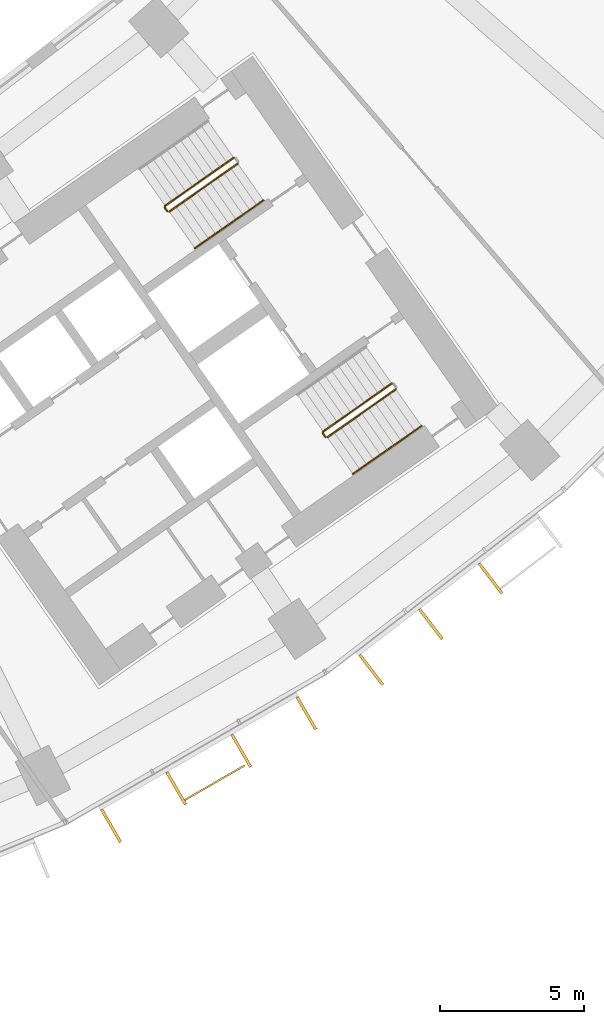
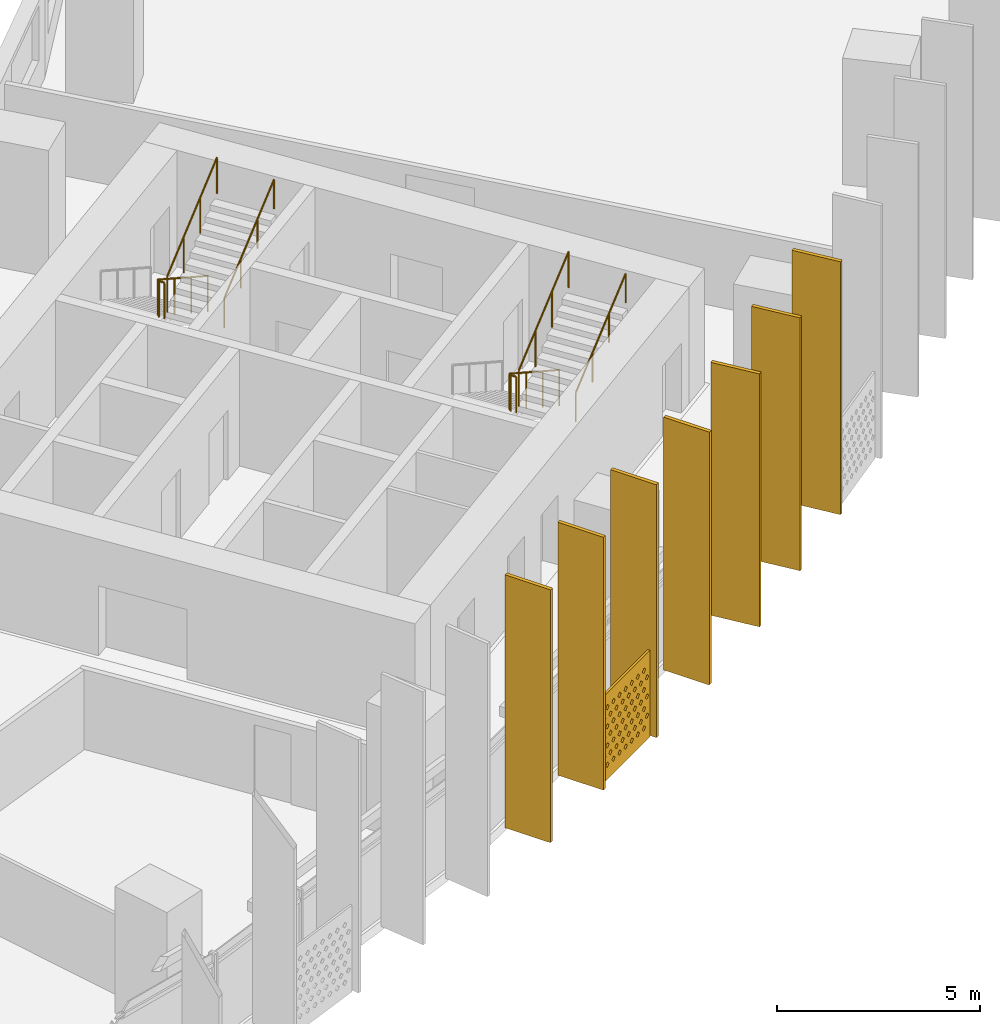
# One storey, part 29 of 31: 8 shading devices, 6 railings.
"""IFC4 building model written with IfcOpenShell, lengths in metres."""

from ifc_helpers import new_model, si_unit, direction, frame, origin, origin_2d, place, context, subcontext, project, spatial, polyline, rectangle, circle, outline, extrude, material, material_profile, profile_set, type_object, element, save


model = new_model("IFC4")

# Units and contexts
model_context = context("Model", 3, precision=1e-05, world=origin(), true_north=direction((0.0, 1.0)))
body_context = subcontext(model_context, "Body", "Model", "MODEL_VIEW")
ifc_project = project(units=[si_unit("LENGTHUNIT", "METRE"), si_unit("AREAUNIT", "SQUARE_METRE"), si_unit("VOLUMEUNIT", "CUBIC_METRE"), si_unit("PLANEANGLEUNIT", "RADIAN"), si_unit("MASSUNIT", "GRAM", prefix="KILO")], contexts=[model_context])

# Site, building, storey
site_placement = place(None, origin())
site = spatial("IfcSite", under=ifc_project, at=site_placement, CompositionType="ELEMENT")
building_placement = place(site_placement, origin())
building = spatial("IfcBuilding", under=site, at=building_placement, Name="Qamariyya Broadcast Tower", CompositionType="ELEMENT")
storey_placement = place(building_placement, frame((0.0, 0.0, 48.10009765625)))
storey = spatial("IfcBuildingStorey", under=building, at=storey_placement, Name="L08", CompositionType="ELEMENT", Elevation=48.10009765625)

# Shading device
ifc_material_1 = material(Name="Perforated glazed terracotta", Category="masonry")
ifc_material_profile_1 = material_profile(ifc_material_1, outline(polyline([(-1.199951171875, -1.300048828125), (1.199951171875, -1.300048828125), (1.199951171875, 1.300048828125), (-1.199951171875, 1.300048828125), (-1.199951171875, -1.300048828125)]), holes=[polyline([(-0.81494140625, -0.86669921875), (-0.89990234375, -0.78173828125), (-0.985107421875, -0.86669921875), (-0.89990234375, -0.95166015625), (-0.81494140625, -0.86669921875)]), polyline([(-0.514892578125, -0.86669921875), (-0.60009765625, -0.78173828125), (-0.68505859375, -0.86669921875), (-0.60009765625, -0.95166015625), (-0.514892578125, -0.86669921875)]), polyline([(-0.215087890625, -0.86669921875), (-0.300048828125, -0.78173828125), (-0.385009765625, -0.86669921875), (-0.300048828125, -0.95166015625), (-0.215087890625, -0.86669921875)]), polyline([(0.0849609375, -0.86669921875), (0.0, -0.78173828125), (-0.0849609375, -0.86669921875), (0.0, -0.95166015625), (0.0849609375, -0.86669921875)]), polyline([(0.385009765625, -0.86669921875), (0.300048828125, -0.78173828125), (0.215087890625, -0.86669921875), (0.300048828125, -0.95166015625), (0.385009765625, -0.86669921875)]), polyline([(0.68505859375, -0.86669921875), (0.60009765625, -0.78173828125), (0.514892578125, -0.86669921875), (0.60009765625, -0.95166015625), (0.68505859375, -0.86669921875)]), polyline([(0.985107421875, -0.86669921875), (0.89990234375, -0.78173828125), (0.81494140625, -0.86669921875), (0.89990234375, -0.95166015625), (0.985107421875, -0.86669921875)]), polyline([(-0.965087890625, -0.577880859375), (-1.050048828125, -0.49267578125), (-1.135009765625, -0.577880859375), (-1.050048828125, -0.662841796875), (-0.965087890625, -0.577880859375)]), polyline([(-0.6650390625, -0.577880859375), (-0.75, -0.49267578125), (-0.8349609375, -0.577880859375), (-0.75, -0.662841796875), (-0.6650390625, -0.577880859375)]), polyline([(-0.364990234375, -0.577880859375), (-0.449951171875, -0.49267578125), (-0.534912109375, -0.577880859375), (-0.449951171875, -0.662841796875), (-0.364990234375, -0.577880859375)]), polyline([(-0.06494140625, -0.577880859375), (-0.14990234375, -0.49267578125), (-0.235107421875, -0.577880859375), (-0.14990234375, -0.662841796875), (-0.06494140625, -0.577880859375)]), polyline([(0.235107421875, -0.577880859375), (0.14990234375, -0.49267578125), (0.06494140625, -0.577880859375), (0.14990234375, -0.662841796875), (0.235107421875, -0.577880859375)]), polyline([(0.534912109375, -0.577880859375), (0.449951171875, -0.49267578125), (0.364990234375, -0.577880859375), (0.449951171875, -0.662841796875), (0.534912109375, -0.577880859375)]), polyline([(0.8349609375, -0.577880859375), (0.75, -0.49267578125), (0.6650390625, -0.577880859375), (0.75, -0.662841796875), (0.8349609375, -0.577880859375)]), polyline([(1.135009765625, -0.577880859375), (1.050048828125, -0.49267578125), (0.965087890625, -0.577880859375), (1.050048828125, -0.662841796875), (1.135009765625, -0.577880859375)]), polyline([(-0.81494140625, -0.288818359375), (-0.89990234375, -0.203857421875), (-0.985107421875, -0.288818359375), (-0.89990234375, -0.373779296875), (-0.81494140625, -0.288818359375)]), polyline([(-0.514892578125, -0.288818359375), (-0.60009765625, -0.203857421875), (-0.68505859375, -0.288818359375), (-0.60009765625, -0.373779296875), (-0.514892578125, -0.288818359375)]), polyline([(-0.215087890625, -0.288818359375), (-0.300048828125, -0.203857421875), (-0.385009765625, -0.288818359375), (-0.300048828125, -0.373779296875), (-0.215087890625, -0.288818359375)]), polyline([(0.0849609375, -0.288818359375), (0.0, -0.203857421875), (-0.0849609375, -0.288818359375), (0.0, -0.373779296875), (0.0849609375, -0.288818359375)]), polyline([(0.385009765625, -0.288818359375), (0.300048828125, -0.203857421875), (0.215087890625, -0.288818359375), (0.300048828125, -0.373779296875), (0.385009765625, -0.288818359375)]), polyline([(0.68505859375, -0.288818359375), (0.60009765625, -0.203857421875), (0.514892578125, -0.288818359375), (0.60009765625, -0.373779296875), (0.68505859375, -0.288818359375)]), polyline([(0.985107421875, -0.288818359375), (0.89990234375, -0.203857421875), (0.81494140625, -0.288818359375), (0.89990234375, -0.373779296875), (0.985107421875, -0.288818359375)]), polyline([(-0.965087890625, 0.0), (-1.050048828125, 0.0849609375), (-1.135009765625, 0.0), (-1.050048828125, -0.0849609375), (-0.965087890625, 0.0)]), polyline([(-0.6650390625, 0.0), (-0.75, 0.0849609375), (-0.8349609375, 0.0), (-0.75, -0.0849609375), (-0.6650390625, 0.0)]), polyline([(-0.364990234375, 0.0), (-0.449951171875, 0.0849609375), (-0.534912109375, 0.0), (-0.449951171875, -0.0849609375), (-0.364990234375, 0.0)]), polyline([(-0.06494140625, 0.0), (-0.14990234375, 0.0849609375), (-0.235107421875, 0.0), (-0.14990234375, -0.0849609375), (-0.06494140625, 0.0)]), polyline([(0.235107421875, 0.0), (0.14990234375, 0.0849609375), (0.06494140625, 0.0), (0.14990234375, -0.0849609375), (0.235107421875, 0.0)]), polyline([(0.534912109375, 0.0), (0.449951171875, 0.0849609375), (0.364990234375, 0.0), (0.449951171875, -0.0849609375), (0.534912109375, 0.0)]), polyline([(0.8349609375, 0.0), (0.75, 0.0849609375), (0.6650390625, 0.0), (0.75, -0.0849609375), (0.8349609375, 0.0)]), polyline([(1.135009765625, 0.0), (1.050048828125, 0.0849609375), (0.965087890625, 0.0), (1.050048828125, -0.0849609375), (1.135009765625, 0.0)]), polyline([(-0.81494140625, 0.288818359375), (-0.89990234375, 0.373779296875), (-0.985107421875, 0.288818359375), (-0.89990234375, 0.203857421875), (-0.81494140625, 0.288818359375)]), polyline([(-0.514892578125, 0.288818359375), (-0.60009765625, 0.373779296875), (-0.68505859375, 0.288818359375), (-0.60009765625, 0.203857421875), (-0.514892578125, 0.288818359375)]), polyline([(-0.215087890625, 0.288818359375), (-0.300048828125, 0.373779296875), (-0.385009765625, 0.288818359375), (-0.300048828125, 0.203857421875), (-0.215087890625, 0.288818359375)]), polyline([(0.0849609375, 0.288818359375), (0.0, 0.373779296875), (-0.0849609375, 0.288818359375), (0.0, 0.203857421875), (0.0849609375, 0.288818359375)]), polyline([(0.385009765625, 0.288818359375), (0.300048828125, 0.373779296875), (0.215087890625, 0.288818359375), (0.300048828125, 0.203857421875), (0.385009765625, 0.288818359375)]), polyline([(0.68505859375, 0.288818359375), (0.60009765625, 0.373779296875), (0.514892578125, 0.288818359375), (0.60009765625, 0.203857421875), (0.68505859375, 0.288818359375)]), polyline([(0.985107421875, 0.288818359375), (0.89990234375, 0.373779296875), (0.81494140625, 0.288818359375), (0.89990234375, 0.203857421875), (0.985107421875, 0.288818359375)]), polyline([(-0.965087890625, 0.577880859375), (-1.050048828125, 0.662841796875), (-1.135009765625, 0.577880859375), (-1.050048828125, 0.49267578125), (-0.965087890625, 0.577880859375)]), polyline([(-0.6650390625, 0.577880859375), (-0.75, 0.662841796875), (-0.8349609375, 0.577880859375), (-0.75, 0.49267578125), (-0.6650390625, 0.577880859375)]), polyline([(-0.364990234375, 0.577880859375), (-0.449951171875, 0.662841796875), (-0.534912109375, 0.577880859375), (-0.449951171875, 0.49267578125), (-0.364990234375, 0.577880859375)]), polyline([(-0.06494140625, 0.577880859375), (-0.14990234375, 0.662841796875), (-0.235107421875, 0.577880859375), (-0.14990234375, 0.49267578125), (-0.06494140625, 0.577880859375)]), polyline([(0.235107421875, 0.577880859375), (0.14990234375, 0.662841796875), (0.06494140625, 0.577880859375), (0.14990234375, 0.49267578125), (0.235107421875, 0.577880859375)]), polyline([(0.534912109375, 0.577880859375), (0.449951171875, 0.662841796875), (0.364990234375, 0.577880859375), (0.449951171875, 0.49267578125), (0.534912109375, 0.577880859375)]), polyline([(0.8349609375, 0.577880859375), (0.75, 0.662841796875), (0.6650390625, 0.577880859375), (0.75, 0.49267578125), (0.8349609375, 0.577880859375)]), polyline([(1.135009765625, 0.577880859375), (1.050048828125, 0.662841796875), (0.965087890625, 0.577880859375), (1.050048828125, 0.49267578125), (1.135009765625, 0.577880859375)]), polyline([(-0.81494140625, 0.86669921875), (-0.89990234375, 0.95166015625), (-0.985107421875, 0.86669921875), (-0.89990234375, 0.78173828125), (-0.81494140625, 0.86669921875)]), polyline([(-0.514892578125, 0.86669921875), (-0.60009765625, 0.95166015625), (-0.68505859375, 0.86669921875), (-0.60009765625, 0.78173828125), (-0.514892578125, 0.86669921875)]), polyline([(-0.215087890625, 0.86669921875), (-0.300048828125, 0.95166015625), (-0.385009765625, 0.86669921875), (-0.300048828125, 0.78173828125), (-0.215087890625, 0.86669921875)]), polyline([(0.0849609375, 0.86669921875), (0.0, 0.95166015625), (-0.0849609375, 0.86669921875), (0.0, 0.78173828125), (0.0849609375, 0.86669921875)]), polyline([(0.385009765625, 0.86669921875), (0.300048828125, 0.95166015625), (0.215087890625, 0.86669921875), (0.300048828125, 0.78173828125), (0.385009765625, 0.86669921875)]), polyline([(0.68505859375, 0.86669921875), (0.60009765625, 0.95166015625), (0.514892578125, 0.86669921875), (0.60009765625, 0.78173828125), (0.68505859375, 0.86669921875)]), polyline([(0.985107421875, 0.86669921875), (0.89990234375, 0.95166015625), (0.81494140625, 0.86669921875), (0.89990234375, 0.78173828125), (0.985107421875, 0.86669921875)])]))
ifc_profile_set_1 = profile_set([ifc_material_profile_1], Name="Perforated glazed terracotta")
shading_device_type_1 = type_object("IfcShadingDeviceType", Name="Perforated terracotta screen 2400 x 2600", PredefinedType="USERDEFINED", material=ifc_profile_set_1)
shading_device_placement = place(storey_placement, frame((40.329345703125, -69.957275390625, 1.349853515625), z_axis=(0.500074377092, -0.865982457891, 0.0), x_axis=(0.865982457891, 0.500074377092, 0.0)))
element("IfcShadingDevice", 1, at=shading_device_placement, inside=storey, type_object=shading_device_type_1, Name="e-scr-L08-12-1", ObjectType="SCREEN", PredefinedType="USERDEFINED", context=body_context, shape_type="SweptSolid", body=[
    extrude(outline(polyline([(-1.199951171875, -1.300048828125), (1.199951171875, -1.300048828125), (1.199951171875, 1.300048828125), (-1.199951171875, 1.300048828125), (-1.199951171875, -1.300048828125)]), holes=[polyline([(-0.81494140625, -0.86669921875), (-0.89990234375, -0.78173828125), (-0.985107421875, -0.86669921875), (-0.89990234375, -0.95166015625), (-0.81494140625, -0.86669921875)]), polyline([(-0.514892578125, -0.86669921875), (-0.60009765625, -0.78173828125), (-0.68505859375, -0.86669921875), (-0.60009765625, -0.95166015625), (-0.514892578125, -0.86669921875)]), polyline([(-0.215087890625, -0.86669921875), (-0.300048828125, -0.78173828125), (-0.385009765625, -0.86669921875), (-0.300048828125, -0.95166015625), (-0.215087890625, -0.86669921875)]), polyline([(0.0849609375, -0.86669921875), (0.0, -0.78173828125), (-0.0849609375, -0.86669921875), (0.0, -0.95166015625), (0.0849609375, -0.86669921875)]), polyline([(0.385009765625, -0.86669921875), (0.300048828125, -0.78173828125), (0.215087890625, -0.86669921875), (0.300048828125, -0.95166015625), (0.385009765625, -0.86669921875)]), polyline([(0.68505859375, -0.86669921875), (0.60009765625, -0.78173828125), (0.514892578125, -0.86669921875), (0.60009765625, -0.95166015625), (0.68505859375, -0.86669921875)]), polyline([(0.985107421875, -0.86669921875), (0.89990234375, -0.78173828125), (0.81494140625, -0.86669921875), (0.89990234375, -0.95166015625), (0.985107421875, -0.86669921875)]), polyline([(-0.965087890625, -0.577880859375), (-1.050048828125, -0.49267578125), (-1.135009765625, -0.577880859375), (-1.050048828125, -0.662841796875), (-0.965087890625, -0.577880859375)]), polyline([(-0.6650390625, -0.577880859375), (-0.75, -0.49267578125), (-0.8349609375, -0.577880859375), (-0.75, -0.662841796875), (-0.6650390625, -0.577880859375)]), polyline([(-0.364990234375, -0.577880859375), (-0.449951171875, -0.49267578125), (-0.534912109375, -0.577880859375), (-0.449951171875, -0.662841796875), (-0.364990234375, -0.577880859375)]), polyline([(-0.06494140625, -0.577880859375), (-0.14990234375, -0.49267578125), (-0.235107421875, -0.577880859375), (-0.14990234375, -0.662841796875), (-0.06494140625, -0.577880859375)]), polyline([(0.235107421875, -0.577880859375), (0.14990234375, -0.49267578125), (0.06494140625, -0.577880859375), (0.14990234375, -0.662841796875), (0.235107421875, -0.577880859375)]), polyline([(0.534912109375, -0.577880859375), (0.449951171875, -0.49267578125), (0.364990234375, -0.577880859375), (0.449951171875, -0.662841796875), (0.534912109375, -0.577880859375)]), polyline([(0.8349609375, -0.577880859375), (0.75, -0.49267578125), (0.6650390625, -0.577880859375), (0.75, -0.662841796875), (0.8349609375, -0.577880859375)]), polyline([(1.135009765625, -0.577880859375), (1.050048828125, -0.49267578125), (0.965087890625, -0.577880859375), (1.050048828125, -0.662841796875), (1.135009765625, -0.577880859375)]), polyline([(-0.81494140625, -0.288818359375), (-0.89990234375, -0.203857421875), (-0.985107421875, -0.288818359375), (-0.89990234375, -0.373779296875), (-0.81494140625, -0.288818359375)]), polyline([(-0.514892578125, -0.288818359375), (-0.60009765625, -0.203857421875), (-0.68505859375, -0.288818359375), (-0.60009765625, -0.373779296875), (-0.514892578125, -0.288818359375)]), polyline([(-0.215087890625, -0.288818359375), (-0.300048828125, -0.203857421875), (-0.385009765625, -0.288818359375), (-0.300048828125, -0.373779296875), (-0.215087890625, -0.288818359375)]), polyline([(0.0849609375, -0.288818359375), (0.0, -0.203857421875), (-0.0849609375, -0.288818359375), (0.0, -0.373779296875), (0.0849609375, -0.288818359375)]), polyline([(0.385009765625, -0.288818359375), (0.300048828125, -0.203857421875), (0.215087890625, -0.288818359375), (0.300048828125, -0.373779296875), (0.385009765625, -0.288818359375)]), polyline([(0.68505859375, -0.288818359375), (0.60009765625, -0.203857421875), (0.514892578125, -0.288818359375), (0.60009765625, -0.373779296875), (0.68505859375, -0.288818359375)]), polyline([(0.985107421875, -0.288818359375), (0.89990234375, -0.203857421875), (0.81494140625, -0.288818359375), (0.89990234375, -0.373779296875), (0.985107421875, -0.288818359375)]), polyline([(-0.965087890625, 0.0), (-1.050048828125, 0.0849609375), (-1.135009765625, 0.0), (-1.050048828125, -0.0849609375), (-0.965087890625, 0.0)]), polyline([(-0.6650390625, 0.0), (-0.75, 0.0849609375), (-0.8349609375, 0.0), (-0.75, -0.0849609375), (-0.6650390625, 0.0)]), polyline([(-0.364990234375, 0.0), (-0.449951171875, 0.0849609375), (-0.534912109375, 0.0), (-0.449951171875, -0.0849609375), (-0.364990234375, 0.0)]), polyline([(-0.06494140625, 0.0), (-0.14990234375, 0.0849609375), (-0.235107421875, 0.0), (-0.14990234375, -0.0849609375), (-0.06494140625, 0.0)]), polyline([(0.235107421875, 0.0), (0.14990234375, 0.0849609375), (0.06494140625, 0.0), (0.14990234375, -0.0849609375), (0.235107421875, 0.0)]), polyline([(0.534912109375, 0.0), (0.449951171875, 0.0849609375), (0.364990234375, 0.0), (0.449951171875, -0.0849609375), (0.534912109375, 0.0)]), polyline([(0.8349609375, 0.0), (0.75, 0.0849609375), (0.6650390625, 0.0), (0.75, -0.0849609375), (0.8349609375, 0.0)]), polyline([(1.135009765625, 0.0), (1.050048828125, 0.0849609375), (0.965087890625, 0.0), (1.050048828125, -0.0849609375), (1.135009765625, 0.0)]), polyline([(-0.81494140625, 0.288818359375), (-0.89990234375, 0.373779296875), (-0.985107421875, 0.288818359375), (-0.89990234375, 0.203857421875), (-0.81494140625, 0.288818359375)]), polyline([(-0.514892578125, 0.288818359375), (-0.60009765625, 0.373779296875), (-0.68505859375, 0.288818359375), (-0.60009765625, 0.203857421875), (-0.514892578125, 0.288818359375)]), polyline([(-0.215087890625, 0.288818359375), (-0.300048828125, 0.373779296875), (-0.385009765625, 0.288818359375), (-0.300048828125, 0.203857421875), (-0.215087890625, 0.288818359375)]), polyline([(0.0849609375, 0.288818359375), (0.0, 0.373779296875), (-0.0849609375, 0.288818359375), (0.0, 0.203857421875), (0.0849609375, 0.288818359375)]), polyline([(0.385009765625, 0.288818359375), (0.300048828125, 0.373779296875), (0.215087890625, 0.288818359375), (0.300048828125, 0.203857421875), (0.385009765625, 0.288818359375)]), polyline([(0.68505859375, 0.288818359375), (0.60009765625, 0.373779296875), (0.514892578125, 0.288818359375), (0.60009765625, 0.203857421875), (0.68505859375, 0.288818359375)]), polyline([(0.985107421875, 0.288818359375), (0.89990234375, 0.373779296875), (0.81494140625, 0.288818359375), (0.89990234375, 0.203857421875), (0.985107421875, 0.288818359375)]), polyline([(-0.965087890625, 0.577880859375), (-1.050048828125, 0.662841796875), (-1.135009765625, 0.577880859375), (-1.050048828125, 0.49267578125), (-0.965087890625, 0.577880859375)]), polyline([(-0.6650390625, 0.577880859375), (-0.75, 0.662841796875), (-0.8349609375, 0.577880859375), (-0.75, 0.49267578125), (-0.6650390625, 0.577880859375)]), polyline([(-0.364990234375, 0.577880859375), (-0.449951171875, 0.662841796875), (-0.534912109375, 0.577880859375), (-0.449951171875, 0.49267578125), (-0.364990234375, 0.577880859375)]), polyline([(-0.06494140625, 0.577880859375), (-0.14990234375, 0.662841796875), (-0.235107421875, 0.577880859375), (-0.14990234375, 0.49267578125), (-0.06494140625, 0.577880859375)]), polyline([(0.235107421875, 0.577880859375), (0.14990234375, 0.662841796875), (0.06494140625, 0.577880859375), (0.14990234375, 0.49267578125), (0.235107421875, 0.577880859375)]), polyline([(0.534912109375, 0.577880859375), (0.449951171875, 0.662841796875), (0.364990234375, 0.577880859375), (0.449951171875, 0.49267578125), (0.534912109375, 0.577880859375)]), polyline([(0.8349609375, 0.577880859375), (0.75, 0.662841796875), (0.6650390625, 0.577880859375), (0.75, 0.49267578125), (0.8349609375, 0.577880859375)]), polyline([(1.135009765625, 0.577880859375), (1.050048828125, 0.662841796875), (0.965087890625, 0.577880859375), (1.050048828125, 0.49267578125), (1.135009765625, 0.577880859375)]), polyline([(-0.81494140625, 0.86669921875), (-0.89990234375, 0.95166015625), (-0.985107421875, 0.86669921875), (-0.89990234375, 0.78173828125), (-0.81494140625, 0.86669921875)]), polyline([(-0.514892578125, 0.86669921875), (-0.60009765625, 0.95166015625), (-0.68505859375, 0.86669921875), (-0.60009765625, 0.78173828125), (-0.514892578125, 0.86669921875)]), polyline([(-0.215087890625, 0.86669921875), (-0.300048828125, 0.95166015625), (-0.385009765625, 0.86669921875), (-0.300048828125, 0.78173828125), (-0.215087890625, 0.86669921875)]), polyline([(0.0849609375, 0.86669921875), (0.0, 0.95166015625), (-0.0849609375, 0.86669921875), (0.0, 0.78173828125), (0.0849609375, 0.86669921875)]), polyline([(0.385009765625, 0.86669921875), (0.300048828125, 0.95166015625), (0.215087890625, 0.86669921875), (0.300048828125, 0.78173828125), (0.385009765625, 0.86669921875)]), polyline([(0.68505859375, 0.86669921875), (0.60009765625, 0.95166015625), (0.514892578125, 0.86669921875), (0.60009765625, 0.78173828125), (0.68505859375, 0.86669921875)]), polyline([(0.985107421875, 0.86669921875), (0.89990234375, 0.95166015625), (0.81494140625, 0.86669921875), (0.89990234375, 0.78173828125), (0.985107421875, 0.86669921875)])]), origin(), (0.0, 0.0, 1.0), 0.06005859375),
])

# Railings
ifc_material_2 = material(Name="Painted steel", Category="steel")
railing_type_1 = type_object("IfcRailingType", Name="Stair guard", PredefinedType="GUARDRAIL", material=ifc_material_2)
railing_1_placement = place(storey_placement, frame((41.003173828125, -48.320068359375, 0.172607421875)))
element("IfcRailing", 2, at=railing_1_placement, inside=storey, type_object=railing_type_1, Name="L08 ST-E2 stair guard 1", PredefinedType="GUARDRAIL", context=body_context, shape_type="SweptSolid", body=[
    extrude(circle(Radius=0.02392578125, at=origin_2d()), frame((0.0, 0.0, 1.076171875), z_axis=(-0.703770094002, -0.492783725636, 0.511734163933), x_axis=(0.573575343427, -0.819152809562, 0.0)), (0.0, 0.0, 1.0), 3.37548828125),
    extrude(circle(Radius=0.02392578125, at=origin_2d()), frame((-2.37548828125, -1.663330078125, 2.80322265625), z_axis=(-0.172799478008, -0.984957024646, 0.0), x_axis=(0.984957024646, -0.172799478008, 0.0)), (0.0, 0.0, 1.0), 0.070556640625),
    extrude(circle(Radius=0.02392578125, at=origin_2d()), frame((-2.3876953125, -1.73291015625, 2.80322265625), z_axis=(0.572588637393, -0.819842821722, 0.0), x_axis=(0.819842821722, 0.572588637393, 0.0)), (0.0, 0.0, 1.0), 0.150146484375),
    extrude(circle(Radius=0.02099609375, at=origin_2d()), origin(), (0.0, 0.0, 1.0), 1.052001953125),
    extrude(circle(Radius=0.02099609375, at=origin_2d()), frame((-0.791748046875, -0.554443359375, 0.57568359375)), (0.0, 0.0, 1.0), 1.052001953125),
    extrude(circle(Radius=0.02099609375, at=origin_2d()), frame((-1.583740234375, -1.10888671875, 1.151611328125)), (0.0, 0.0, 1.0), 1.052001953125),
    extrude(circle(Radius=0.02099609375, at=origin_2d()), frame((-2.37548828125, -1.663330078125, 1.727294921875)), (0.0, 0.0, 1.0), 1.052001953125),
    extrude(circle(Radius=0.02099609375, at=origin_2d()), frame((-2.3876953125, -1.73291015625, 1.727294921875)), (0.0, 0.0, 1.0), 1.052001953125),
    extrude(circle(Radius=0.02099609375, at=origin_2d()), frame((-2.3017578125, -1.85595703125, 1.727294921875)), (0.0, 0.0, 1.0), 1.052001953125),
])
railing_2_placement = place(storey_placement, frame((38.771240234375, -50.188232421875, 2.072509765625)))
element("IfcRailing", 3, at=railing_2_placement, inside=storey, type_object=railing_type_1, Name="L08 ST-E2 stair guard 2", PredefinedType="GUARDRAIL", context=body_context, shape_type="SweptSolid", body=[
    extrude(circle(Radius=0.02392578125, at=origin_2d()), frame((0.0, 0.0, 1.076171875), z_axis=(0.703770094002, 0.492783725636, 0.511734163933), x_axis=(-0.573575343427, 0.819152809562, 0.0)), (0.0, 0.0, 1.0), 3.37548828125),
    extrude(circle(Radius=0.02099609375, at=origin_2d()), origin(), (0.0, 0.0, 1.0), 1.052001953125),
    extrude(circle(Radius=0.02099609375, at=origin_2d()), frame((0.791748046875, 0.554443359375, 0.57568359375)), (0.0, 0.0, 1.0), 1.052001953125),
    extrude(circle(Radius=0.02099609375, at=origin_2d()), frame((1.583740234375, 1.10888671875, 1.151611328125)), (0.0, 0.0, 1.0), 1.052001953125),
    extrude(circle(Radius=0.02099609375, at=origin_2d()), frame((2.37548828125, 1.663330078125, 1.727294921875)), (0.0, 0.0, 1.0), 1.052001953125),
])
railing_3_placement = place(storey_placement, frame((46.48095703125, -56.14306640625, 0.172607421875)))
element("IfcRailing", 4, at=railing_3_placement, inside=storey, type_object=railing_type_1, Name="L08 ST-E1 stair guard 1", PredefinedType="GUARDRAIL", context=body_context, shape_type="SweptSolid", body=[
    extrude(circle(Radius=0.02392578125, at=origin_2d()), frame((0.0, 0.0, 1.076171875), z_axis=(-0.703770094002, -0.492783725636, 0.511734163933), x_axis=(0.573575343427, -0.819152809562, 0.0)), (0.0, 0.0, 1.0), 3.37548828125),
    extrude(circle(Radius=0.02392578125, at=origin_2d()), frame((-2.37548828125, -1.663330078125, 2.80322265625), z_axis=(-0.176149252506, -0.984363469884, 0.0), x_axis=(0.984363469884, -0.176149252506, 0.0)), (0.0, 0.0, 1.0), 0.07080078125),
    extrude(circle(Radius=0.02392578125, at=origin_2d()), frame((-2.387939453125, -1.73291015625, 2.80322265625), z_axis=(0.574444878118, -0.818543268254, 0.0), x_axis=(0.818543268254, 0.574444878118, 0.0)), (0.0, 0.0, 1.0), 0.150146484375),
    extrude(circle(Radius=0.02099609375, at=origin_2d()), origin(), (0.0, 0.0, 1.0), 1.052001953125),
    extrude(circle(Radius=0.02099609375, at=origin_2d()), frame((-0.791748046875, -0.554443359375, 0.57568359375)), (0.0, 0.0, 1.0), 1.052001953125),
    extrude(circle(Radius=0.02099609375, at=origin_2d()), frame((-1.583740234375, -1.10888671875, 1.151611328125)), (0.0, 0.0, 1.0), 1.052001953125),
    extrude(circle(Radius=0.02099609375, at=origin_2d()), frame((-2.37548828125, -1.663330078125, 1.727294921875)), (0.0, 0.0, 1.0), 1.052001953125),
    extrude(circle(Radius=0.02099609375, at=origin_2d()), frame((-2.387939453125, -1.73291015625, 1.727294921875)), (0.0, 0.0, 1.0), 1.052001953125),
    extrude(circle(Radius=0.02099609375, at=origin_2d()), frame((-2.3017578125, -1.855712890625, 1.727294921875)), (0.0, 0.0, 1.0), 1.052001953125),
])
railing_4_placement = place(storey_placement, frame((44.248779296875, -58.01123046875, 2.072509765625)))
element("IfcRailing", 5, at=railing_4_placement, inside=storey, type_object=railing_type_1, Name="L08 ST-E1 stair guard 2", PredefinedType="GUARDRAIL", context=body_context, shape_type="SweptSolid", body=[
    extrude(circle(Radius=0.02392578125, at=origin_2d()), frame((0.0, 0.0, 1.076171875), z_axis=(0.703745009021, 0.492838488332, 0.511715923826), x_axis=(-0.573631830683, 0.819113253969, 0.0)), (0.0, 0.0, 1.0), 3.37548828125),
    extrude(circle(Radius=0.02099609375, at=origin_2d()), origin(), (0.0, 0.0, 1.0), 1.052001953125),
    extrude(circle(Radius=0.02099609375, at=origin_2d()), frame((0.791748046875, 0.554443359375, 0.57568359375)), (0.0, 0.0, 1.0), 1.052001953125),
    extrude(circle(Radius=0.02099609375, at=origin_2d()), frame((1.583740234375, 1.109130859375, 1.151611328125)), (0.0, 0.0, 1.0), 1.052001953125),
    extrude(circle(Radius=0.02099609375, at=origin_2d()), frame((2.37548828125, 1.66357421875, 1.727294921875)), (0.0, 0.0, 1.0), 1.052001953125),
])
ifc_material_3 = material(Name="Stainless steel", Category="steel")
railing_type_2 = type_object("IfcRailingType", Name="Stair handrail", PredefinedType="HANDRAIL", material=ifc_material_3)
railing_5_placement = place(storey_placement, frame((39.66015625, -51.4580078125, 2.072509765625)))
element("IfcRailing", 6, at=railing_5_placement, inside=storey, type_object=railing_type_2, Name="L08 ST-E2 stair handrail 2", PredefinedType="HANDRAIL", context=body_context, shape_type="SweptSolid", body=[
    extrude(circle(Radius=0.02392578125, at=origin_2d()), frame((0.0, 0.0, 0.8759765625), z_axis=(0.703745009021, 0.492838488332, 0.511715923826), x_axis=(-0.573631830683, 0.819113253969, 0.0)), (0.0, 0.0, 1.0), 3.37548828125),
    extrude(circle(Radius=0.02099609375, at=origin_2d()), origin(), (0.0, 0.0, 1.0), 0.851806640625),
    extrude(circle(Radius=0.02099609375, at=origin_2d()), frame((0.791748046875, 0.554443359375, 0.57568359375)), (0.0, 0.0, 1.0), 0.851806640625),
    extrude(circle(Radius=0.02099609375, at=origin_2d()), frame((1.583740234375, 1.109130859375, 1.151611328125)), (0.0, 0.0, 1.0), 0.851806640625),
    extrude(circle(Radius=0.02099609375, at=origin_2d()), frame((2.37548828125, 1.66357421875, 1.727294921875)), (0.0, 0.0, 1.0), 0.851806640625),
])
railing_6_placement = place(storey_placement, frame((45.137939453125, -59.28076171875, 2.072509765625)))
element("IfcRailing", 7, at=railing_6_placement, inside=storey, type_object=railing_type_2, Name="L08 ST-E1 stair handrail 2", PredefinedType="HANDRAIL", context=body_context, shape_type="SweptSolid", body=[
    extrude(circle(Radius=0.02392578125, at=origin_2d()), frame((0.0, 0.0, 0.8759765625), z_axis=(0.703770094002, 0.492783725636, 0.511734163933), x_axis=(-0.573575343427, 0.819152809562, 0.0)), (0.0, 0.0, 1.0), 3.37548828125),
    extrude(circle(Radius=0.02099609375, at=origin_2d()), origin(), (0.0, 0.0, 1.0), 0.851806640625),
    extrude(circle(Radius=0.02099609375, at=origin_2d()), frame((0.791748046875, 0.554443359375, 0.57568359375)), (0.0, 0.0, 1.0), 0.851806640625),
    extrude(circle(Radius=0.02099609375, at=origin_2d()), frame((1.583740234375, 1.10888671875, 1.151611328125)), (0.0, 0.0, 1.0), 0.851806640625),
    extrude(circle(Radius=0.02099609375, at=origin_2d()), frame((2.37548828125, 1.663330078125, 1.727294921875)), (0.0, 0.0, 1.0), 0.851806640625),
])

# Shading devices
ifc_material_4 = material(Name="Glazed terracotta", Category="masonry")
ifc_material_profile_2 = material_profile(ifc_material_4, rectangle(XDim=1.300048828125, YDim=0.10009765625, at=origin_2d()))
ifc_profile_set_2 = profile_set([ifc_material_profile_2], Name="Glazed terracotta")
shading_device_type_2 = type_object("IfcShadingDeviceType", Name="Terracotta fin 100 x 1300", PredefinedType="USERDEFINED", material=ifc_profile_set_2)
for number, where, z_axis, x_axis, name in (
    (8, (36.756103515625, -71.4775390625, 0.0), (0.0, 0.0, 1.0), (0.5, -0.866025403784, 0.0), "e-fin-L08-12-0"),
    (9, (39.011962890625, -70.17529296875, 0.0), (0.0, 0.0, 1.0), (0.5, -0.866025403784, 0.0), "e-fin-L08-12-1"),
    (10, (41.267578125, -68.872802734375, 0.0), (0.0, 0.0, 1.0), (0.5, -0.866025403784, 0.0), "e-fin-L08-12-2"),
    (11, (43.523193359375, -67.570556640625, 0.0), (0.0, 0.0, 1.0), (0.5, -0.866025403784, 0.0), "e-fin-L08-12-3"),
    (12, (45.771484375, -66.068359375, 0.0), (0.0, 0.0, 1.0), (0.608761429009, -0.793353340291, 0.0), "e-fin-L08-13-0"),
    (13, (47.837890625, -64.48291015625, 0.0), (0.0, 0.0, 1.0), (0.608761429009, -0.793353340291, 0.0), "e-fin-L08-13-1"),
    (14, (49.904296875, -62.897216796875, 0.0), (0.0, 0.0, 1.0), (0.608761429009, -0.793353340291, 0.0), "e-fin-L08-13-2"),
):
    element("IfcShadingDevice", number, at=place(storey_placement, frame(where, z_axis=z_axis, x_axis=x_axis)), inside=storey, type_object=shading_device_type_2, Name=name, ObjectType="FIN", PredefinedType="USERDEFINED", context=body_context, shape_type="SweptSolid", body=[
        extrude(rectangle(XDim=1.300048828125, YDim=0.10009765625, at=origin_2d()), origin(), (0.0, 0.0, 1.0), 7.599853515625),
    ])

save(model, "model.ifc")
